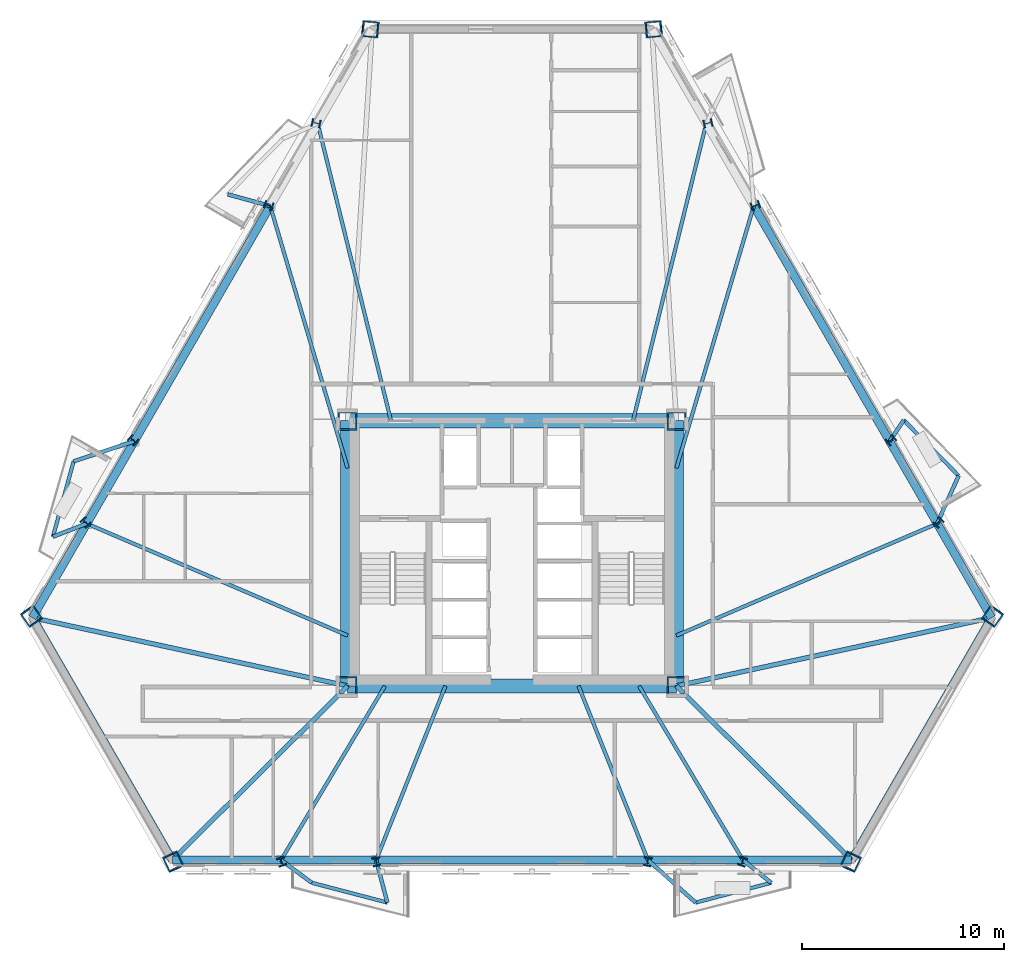
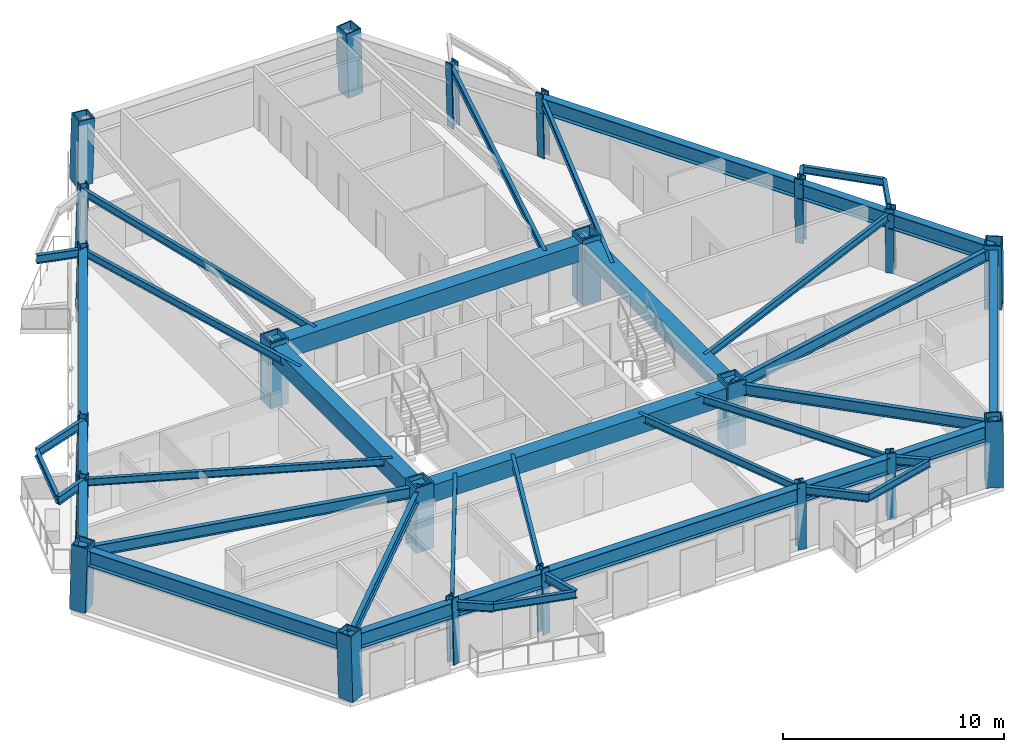
# One storey, part 1 of 10: 44 beams, 22 columns.
"""IFC4 building model written with IfcOpenShell, lengths in metres."""

from ifc_helpers import new_model, si_unit, direction, frame, origin, origin_2d, place, context, subcontext, project, spatial, rectangle, hollow_rectangle, i_section, extrude, material, material_profile, profile_set, type_object, element, save


model = new_model("IFC4")

# Units and contexts
model_context = context("Model", 3, precision=1e-05, world=origin(), true_north=direction((0.0, 1.0)))
body_context = subcontext(model_context, "Body", "Model", "MODEL_VIEW")
ifc_project = project(units=[si_unit("LENGTHUNIT", "METRE"), si_unit("AREAUNIT", "SQUARE_METRE"), si_unit("VOLUMEUNIT", "CUBIC_METRE"), si_unit("PLANEANGLEUNIT", "RADIAN"), si_unit("MASSUNIT", "GRAM", prefix="KILO")], contexts=[model_context])

# Site, building, storey
site_placement = place(None, origin())
site = spatial("IfcSite", under=ifc_project, at=site_placement, CompositionType="ELEMENT")
building_placement = place(site_placement, origin())
building = spatial("IfcBuilding", under=site, at=building_placement, Name="Oramaril Tower", CompositionType="ELEMENT")
storey_placement = place(building_placement, frame((0.0, 0.0, 59.699951171875)))
storey = spatial("IfcBuildingStorey", under=building, at=storey_placement, Name="L15", CompositionType="ELEMENT", Elevation=59.699951171875)

# Columns
ifc_material_1 = material(Name="Steel ASTM A572 Gr 50", Category="steel")
ifc_material_profile_1 = material_profile(ifc_material_1, hollow_rectangle(XDim=0.949951171875, YDim=0.949951171875, WallThickness=0.080078125, at=origin_2d()), Name="BOX950X950X80")
ifc_profile_set_1 = profile_set([ifc_material_profile_1], Name="Steel ASTM A572 Gr 50")
column_type_1 = type_object("IfcColumnType", Name="CT-CC2", PredefinedType="COLUMN", material=ifc_profile_set_1)
for number, where, z_axis, x_axis, name in (
    (1, (29.35009765625, 11.0, 0.0), (0.0, 0.0, 1.0), (1.0, 0.0, 0.0), "L15 Core Column CC-1"),
    (2, (45.64990234375, 11.0, 0.0), (0.0, 0.0, 1.0), (1.0, 0.0, 0.0), "L15 Core Column CC-2"),
    (3, (45.64990234375, 24.14990234375, 0.0), (0.0, 0.0, 1.0), (1.0, 0.0, 0.0), "L15 Core Column CC-3"),
    (4, (29.35009765625, 24.14990234375, 0.0), (0.0, 0.0, 1.0), (1.0, 0.0, 0.0), "L15 Core Column CC-4"),
):
    element("IfcColumn", number, at=place(storey_placement, frame(where, z_axis=z_axis, x_axis=x_axis)), inside=storey, type_object=column_type_1, Name=name, PredefinedType="COLUMN", context=body_context, shape_type="SweptSolid", body=[
        extrude(hollow_rectangle(XDim=0.949951171875, YDim=0.949951171875, WallThickness=0.080078125, at=origin_2d()), origin(), (0.0, 0.0, 1.0), 3.60009765625),
    ])
ifc_material_2 = material(Name="Steel ASTM A572 Gr 50", Category="steel")
ifc_material_profile_2 = material_profile(ifc_material_2, hollow_rectangle(XDim=0.800048828125, YDim=0.800048828125, WallThickness=0.06494140625, at=origin_2d()), Name="BOX800X800X65")
ifc_profile_set_2 = profile_set([ifc_material_profile_2], Name="Steel ASTM A572 Gr 50")
column_type_2 = type_object("IfcColumnType", Name="CT-TC3", PredefinedType="COLUMN", material=ifc_profile_set_2)
for number, where, z_axis, x_axis, name in (
    (5, (13.665771484375, 14.470458984375, 0.004638671875), (0.016990094732, -0.024261855277, 0.99956125328), (0.819124112374, 0.573616325192, 0.0), "L15 Tube Column TC-01"),
    (6, (20.70751953125, 2.273681640625, 0.004638671875), (-0.012504688845, 0.026912265122, 0.999559584388), (-0.906883968977, -0.42138043003, 0.0), "L15 Tube Column TC-02"),
    (7, (54.29248046875, 2.273681640625, 0.004638671875), (0.012504688845, 0.026912265122, 0.999559584388), (-0.906883968977, 0.42138043003, 0.0), "L15 Tube Column TC-03"),
    (8, (61.334228515625, 14.470458984375, 0.004638671875), (-0.016990094732, -0.024261855277, 0.99956125328), (0.819124112374, -0.573616325192, 0.0), "L15 Tube Column TC-04"),
    (9, (44.541748046875, 43.555908203125, 0.004638671875), (-0.029494809359, -0.002650455219, 0.999561419478), (0.089501110996, -0.995986722367, 0.0), "L15 Tube Column TC-05"),
    (10, (30.458251953125, 43.555908203125, 0.004638671875), (0.029494809359, -0.002650455219, 0.999561419478), (0.089501110996, 0.995986722367, 0.0), "L15 Tube Column TC-06"),
):
    element("IfcColumn", number, at=place(storey_placement, frame(where, z_axis=z_axis, x_axis=x_axis)), inside=storey, type_object=column_type_2, Name=name, PredefinedType="COLUMN", context=body_context, shape_type="SweptSolid", body=[
        extrude(hollow_rectangle(XDim=0.800048828125, YDim=0.800048828125, WallThickness=0.06494140625, at=origin_2d()), origin(), (0.0, 0.0, 1.0), 3.59228515625),
    ])
ifc_material_3 = material(Name="Steel ASTM A572 Gr 50", Category="steel")
ifc_material_profile_3 = material_profile(ifc_material_3, i_section(OverallWidth=0.410888671875, OverallDepth=0.43408203125, WebThickness=0.035888671875, FlangeThickness=0.057373046875, at=origin_2d()), Name="W14X311")
ifc_profile_set_3 = profile_set([ifc_material_profile_3], Name="Steel ASTM A572 Gr 50")
column_type_3 = type_object("IfcColumnType", Name="CT-TF2", PredefinedType="COLUMN", material=ifc_profile_set_3)
for number, where, z_axis, x_axis, name in (
    (11, (26.081298828125, 2.273681640625, 0.004638671875), (-0.008563349016, 0.026913382621, 0.99960108988), (-0.952925780013, -0.303203657277, 0.0), "L15 Tube Column TC-07"),
    (12, (30.782958984375, 2.273681640625, 0.004638671875), (-0.00502938927, 0.026914029069, 0.999625099866), (-0.982984409413, -0.183689005799, 0.0), "L15 Tube Column TC-08"),
    (13, (44.217041015625, 2.273681640625, 0.004638671875), (0.00502938927, 0.026914029069, 0.999625099866), (-0.982984409413, 0.183689005799, 0.0), "L15 Tube Column TC-09"),
    (14, (48.918701171875, 2.273681640625, 0.004638671875), (0.008563349016, 0.026913382621, 0.99960108988), (-0.952925780013, 0.303203657277, 0.0), "L15 Tube Column TC-10"),
    (15, (58.6474609375, 19.1240234375, 0.004638671875), (-0.01902969331, -0.02079673626, 0.999602604305), (0.737754315113, -0.675069307947, 0.0), "L15 Tube Column TC-11"),
):
    element("IfcColumn", number, at=place(storey_placement, frame(where, z_axis=z_axis, x_axis=x_axis)), inside=storey, type_object=column_type_3, Name=name, PredefinedType="COLUMN", context=body_context, shape_type="SweptSolid", body=[
        extrude(i_section(OverallWidth=0.410888671875, OverallDepth=0.43408203125, WebThickness=0.035888671875, FlangeThickness=0.057373046875, at=origin_2d()), origin(), (0.0, 0.0, 1.0), 3.59228515625),
    ])
column_1_placement = place(storey_placement, frame((56.29638671875, 23.196044921875, 0.004638671875), z_axis=(-0.020729269388, -0.017806782228, 0.999626538212), x_axis=(0.651610262095, -0.758553931064, 0.0)))
element("IfcColumn", 16, at=column_1_placement, inside=storey, type_object=column_type_3, Name="L15 Tube Column TC-12", PredefinedType="COLUMN", context=body_context, shape_type="SweptSolid", body=[
    extrude(i_section(OverallWidth=0.410888671875, OverallDepth=0.43408203125, WebThickness=0.035888671875, FlangeThickness=0.057373046875, at=origin_2d()), origin(), (0.0, 0.0, 1.0), 3.592041015625),
])
for number, where, z_axis, x_axis, name in (
    (17, (49.57958984375, 34.830078125, 0.004638671875), (-0.02582660566, -0.009039311981, 0.99962556854), (0.330350424728, -0.943858356366, 0.0), "L15 Tube Column TC-13"),
    (18, (47.228515625, 38.902099609375, 0.004638671875), (-0.027525097831, -0.006048725202, 0.999602812077), (0.214631750704, -0.976695045339, 0.0), "L15 Tube Column TC-14"),
    (19, (27.771484375, 38.902099609375, 0.004638671875), (0.027525097831, -0.006048725202, 0.999602812077), (0.214631750704, 0.976695045339, 0.0), "L15 Tube Column TC-15"),
    (20, (25.42041015625, 34.830078125, 0.004638671875), (0.02582660566, -0.009039311981, 0.99962556854), (0.330350424728, 0.943858356366, 0.0), "L15 Tube Column TC-16"),
):
    element("IfcColumn", number, at=place(storey_placement, frame(where, z_axis=z_axis, x_axis=x_axis)), inside=storey, type_object=column_type_3, Name=name, PredefinedType="COLUMN", context=body_context, shape_type="SweptSolid", body=[
        extrude(i_section(OverallWidth=0.410888671875, OverallDepth=0.43408203125, WebThickness=0.035888671875, FlangeThickness=0.057373046875, at=origin_2d()), origin(), (0.0, 0.0, 1.0), 3.59228515625),
    ])
column_2_placement = place(storey_placement, frame((18.70361328125, 23.196044921875, 0.004638671875), z_axis=(0.020729269388, -0.017806782228, 0.999626538212), x_axis=(0.651610262095, 0.758553931064, 0.0)))
element("IfcColumn", 21, at=column_2_placement, inside=storey, type_object=column_type_3, Name="L15 Tube Column TC-17", PredefinedType="COLUMN", context=body_context, shape_type="SweptSolid", body=[
    extrude(i_section(OverallWidth=0.410888671875, OverallDepth=0.43408203125, WebThickness=0.035888671875, FlangeThickness=0.057373046875, at=origin_2d()), origin(), (0.0, 0.0, 1.0), 3.592041015625),
])
column_3_placement = place(storey_placement, frame((16.3525390625, 19.1240234375, 0.004638671875), z_axis=(0.01902969331, -0.02079673626, 0.999602604305), x_axis=(0.737754315113, 0.675069307947, 0.0)))
element("IfcColumn", 22, at=column_3_placement, inside=storey, type_object=column_type_3, Name="L15 Tube Column TC-18", PredefinedType="COLUMN", context=body_context, shape_type="SweptSolid", body=[
    extrude(i_section(OverallWidth=0.410888671875, OverallDepth=0.43408203125, WebThickness=0.035888671875, FlangeThickness=0.057373046875, at=origin_2d()), origin(), (0.0, 0.0, 1.0), 3.59228515625),
])

# Beams
ifc_material_4 = material(Name="Steel ASTM A572 Gr 50", Category="steel")
ifc_material_profile_4 = material_profile(ifc_material_4, i_section(OverallWidth=0.19091796875, OverallDepth=0.45703125, WebThickness=0.009033203125, FlangeThickness=0.014404296875, at=origin_2d()), Name="W18X50")
ifc_profile_set_4 = profile_set([ifc_material_profile_4], Name="Steel ASTM A572 Gr 50")
beam_type_1 = type_object("IfcBeamType", Name="BT-BB1", PredefinedType="BEAM", material=ifc_profile_set_4)
beam_1_placement = place(storey_placement, frame((26.050537109375, 2.370361328125, 3.131591796875), z_axis=(0.803814813997, -0.594879605298, 0.0), x_axis=(0.594879605298, 0.803814813997, 0.0)))
element("IfcBeam", 23, at=beam_1_placement, inside=storey, type_object=beam_type_1, Name="L15 Balcony Column-Framed Cantilever 01.1", PredefinedType="BEAM", context=body_context, shape_type="SweptSolid", body=[
    extrude(i_section(OverallWidth=0.19091796875, OverallDepth=0.45703125, WebThickness=0.009033203125, FlangeThickness=0.014404296875, at=origin_2d()), origin(), (0.0, 0.0, 1.0), 1.896484375),
])
beam_2_placement = place(storey_placement, frame((30.764892578125, 2.370361328125, 3.131591796875), z_axis=(0.254245202927, -0.967139791751, 0.0), x_axis=(0.967139791751, 0.254245202927, 0.0)))
element("IfcBeam", 24, at=beam_2_placement, inside=storey, type_object=beam_type_1, Name="L15 Balcony Column-Framed Cantilever 01.2", PredefinedType="BEAM", context=body_context, shape_type="SweptSolid", body=[
    extrude(i_section(OverallWidth=0.19091796875, OverallDepth=0.45703125, WebThickness=0.009033203125, FlangeThickness=0.014404296875, at=origin_2d()), origin(), (0.0, 0.0, 1.0), 2.1796875),
])
beam_3_placement = place(storey_placement, frame((44.235107421875, 2.370361328125, 3.131591796875), z_axis=(0.747294673496, -0.66449279226, 0.0), x_axis=(0.66449279226, 0.747294673496, 0.0)))
element("IfcBeam", 25, at=beam_3_placement, inside=storey, type_object=beam_type_1, Name="L15 Balcony Column-Framed Cantilever 02.1", PredefinedType="BEAM", context=body_context, shape_type="SweptSolid", body=[
    extrude(i_section(OverallWidth=0.19091796875, OverallDepth=0.45703125, WebThickness=0.009033203125, FlangeThickness=0.014404296875, at=origin_2d()), origin(), (0.0, 0.0, 1.0), 3.172607421875),
])
beam_4_placement = place(storey_placement, frame((48.949462890625, 2.370361328125, 3.131591796875), z_axis=(0.778785224759, -0.627290661254, 0.0), x_axis=(0.627290661254, 0.778785224759, 0.0)))
element("IfcBeam", 26, at=beam_4_placement, inside=storey, type_object=beam_type_1, Name="L15 Balcony Column-Framed Cantilever 02.2", PredefinedType="BEAM", context=body_context, shape_type="SweptSolid", body=[
    extrude(i_section(OverallWidth=0.19091796875, OverallDepth=0.45703125, WebThickness=0.009033203125, FlangeThickness=0.014404296875, at=origin_2d()), origin(), (0.0, 0.0, 1.0), 1.798583984375),
])
beam_5_placement = place(storey_placement, frame((58.5791015625, 19.04931640625, 3.131591796875), z_axis=(0.408783738784, 0.912631280916, 0.0), x_axis=(-0.912631280916, 0.408783738784, 0.0)))
element("IfcBeam", 27, at=beam_5_placement, inside=storey, type_object=beam_type_1, Name="L15 Balcony Column-Framed Cantilever 03.1", PredefinedType="BEAM", context=body_context, shape_type="SweptSolid", body=[
    extrude(i_section(OverallWidth=0.19091796875, OverallDepth=0.45703125, WebThickness=0.009033203125, FlangeThickness=0.014404296875, at=origin_2d()), origin(), (0.0, 0.0, 1.0), 2.6015625),
])
beam_6_placement = place(storey_placement, frame((56.221923828125, 23.132080078125, 3.131591796875), z_axis=(0.556894703673, 0.830583101815, 0.0), x_axis=(-0.830583101815, 0.556894703673, 0.0)))
element("IfcBeam", 28, at=beam_6_placement, inside=storey, type_object=beam_type_1, Name="L15 Balcony Column-Framed Cantilever 03.2", PredefinedType="BEAM", context=body_context, shape_type="SweptSolid", body=[
    extrude(i_section(OverallWidth=0.19091796875, OverallDepth=0.45703125, WebThickness=0.009033203125, FlangeThickness=0.014404296875, at=origin_2d()), origin(), (0.0, 0.0, 1.0), 1.2568359375),
])
beam_7_placement = place(storey_placement, frame((25.51318359375, 34.797607421875, 3.131591796875), z_axis=(-0.964706934166, 0.263325902964, 0.0), x_axis=(-0.263325902964, -0.964706934166, 0.0)))
element("IfcBeam", 29, at=beam_7_placement, inside=storey, type_object=beam_type_1, Name="L15 Balcony Column-Framed Cantilever 05.2", PredefinedType="BEAM", context=body_context, shape_type="SweptSolid", body=[
    extrude(i_section(OverallWidth=0.19091796875, OverallDepth=0.45703125, WebThickness=0.009033203125, FlangeThickness=0.014404296875, at=origin_2d()), origin(), (0.0, 0.0, 1.0), 2.1796875),
])
beam_8_placement = place(storey_placement, frame((18.778076171875, 23.132080078125, 3.131591796875), z_axis=(-0.949098041166, -0.31498080617, 0.0), x_axis=(0.31498080617, -0.949098041166, 0.0)))
element("IfcBeam", 30, at=beam_8_placement, inside=storey, type_object=beam_type_1, Name="L15 Balcony Column-Framed Cantilever 06.1", PredefinedType="BEAM", context=body_context, shape_type="SweptSolid", body=[
    extrude(i_section(OverallWidth=0.19091796875, OverallDepth=0.45703125, WebThickness=0.009033203125, FlangeThickness=0.014404296875, at=origin_2d()), origin(), (0.0, 0.0, 1.0), 3.17236328125),
])
beam_9_placement = place(storey_placement, frame((16.4208984375, 19.04931640625, 3.131591796875), z_axis=(-0.932630003124, -0.360834140947, 0.0), x_axis=(0.360834140947, -0.932630003124, 0.0)))
element("IfcBeam", 31, at=beam_9_placement, inside=storey, type_object=beam_type_1, Name="L15 Balcony Column-Framed Cantilever 06.2", PredefinedType="BEAM", context=body_context, shape_type="SweptSolid", body=[
    extrude(i_section(OverallWidth=0.19091796875, OverallDepth=0.45703125, WebThickness=0.009033203125, FlangeThickness=0.014404296875, at=origin_2d()), origin(), (0.0, 0.0, 1.0), 1.79833984375),
])
ifc_material_5 = material(Name="Concrete C50/60", Category="concrete")
ifc_material_profile_5 = material_profile(ifc_material_5, rectangle(XDim=0.699951171875, YDim=0.949951171875, at=origin_2d()), Name="CB700X950")
ifc_profile_set_5 = profile_set([ifc_material_profile_5], Name="Concrete C50/60")
beam_type_2 = type_object("IfcBeamType", Name="BT-CB1", PredefinedType="BEAM", material=ifc_profile_set_5)
beam_10_placement = place(storey_placement, frame((29.35009765625, 11.0, 2.885009765625), z_axis=(1.0, 0.0, 0.0), x_axis=(0.0, 1.0, 0.0)))
element("IfcBeam", 32, at=beam_10_placement, inside=storey, type_object=beam_type_2, Name="L15 Core Header Beam CB-1", PredefinedType="BEAM", context=body_context, shape_type="SweptSolid", body=[
    extrude(rectangle(XDim=0.699951171875, YDim=0.949951171875, at=origin_2d()), origin(), (0.0, 0.0, 1.0), 16.2998046875),
])
beam_11_placement = place(storey_placement, frame((45.64990234375, 11.0, 2.885009765625), z_axis=(0.0, 1.0, 0.0), x_axis=(-1.0, 0.0, 0.0)))
element("IfcBeam", 33, at=beam_11_placement, inside=storey, type_object=beam_type_2, Name="L15 Core Header Beam CB-2", PredefinedType="BEAM", context=body_context, shape_type="SweptSolid", body=[
    extrude(rectangle(XDim=0.699951171875, YDim=0.949951171875, at=origin_2d()), origin(), (0.0, 0.0, 1.0), 13.14990234375),
])
beam_12_placement = place(storey_placement, frame((45.64990234375, 24.14990234375, 2.885009765625), z_axis=(-1.0, 0.0, 0.0), x_axis=(0.0, -1.0, 0.0)))
element("IfcBeam", 34, at=beam_12_placement, inside=storey, type_object=beam_type_2, Name="L15 Core Header Beam CB-3", PredefinedType="BEAM", context=body_context, shape_type="SweptSolid", body=[
    extrude(rectangle(XDim=0.699951171875, YDim=0.949951171875, at=origin_2d()), origin(), (0.0, 0.0, 1.0), 16.2998046875),
])
beam_13_placement = place(storey_placement, frame((29.35009765625, 24.14990234375, 2.885009765625), z_axis=(0.0, -1.0, 0.0), x_axis=(1.0, 0.0, 0.0)))
element("IfcBeam", 35, at=beam_13_placement, inside=storey, type_object=beam_type_2, Name="L15 Core Header Beam CB-4", PredefinedType="BEAM", context=body_context, shape_type="SweptSolid", body=[
    extrude(rectangle(XDim=0.699951171875, YDim=0.949951171875, at=origin_2d()), origin(), (0.0, 0.0, 1.0), 13.14990234375),
])
ifc_material_6 = material(Name="Steel ASTM A572 Gr 50", Category="steel")
ifc_material_profile_6 = material_profile(ifc_material_6, i_section(OverallWidth=0.22900390625, OverallDepth=0.612060546875, WebThickness=0.011962890625, FlangeThickness=0.01953125, at=origin_2d()), Name="W24X84")
ifc_profile_set_6 = profile_set([ifc_material_profile_6], Name="Steel ASTM A572 Gr 50")
beam_type_3 = type_object("IfcBeamType", Name="BT-FB1", PredefinedType="BEAM", material=ifc_profile_set_6)
beam_14_placement = place(storey_placement, frame((29.35009765625, 11.0, 3.053955078125), z_axis=(-0.977345733515, 0.211649042474, 0.0), x_axis=(-0.211649042474, -0.977345733515, 0.0)))
element("IfcBeam", 36, at=beam_14_placement, inside=storey, type_object=beam_type_3, Name="L15 Radial Primary Beam RB-01", PredefinedType="BEAM", context=body_context, shape_type="SweptSolid", body=[
    extrude(i_section(OverallWidth=0.22900390625, OverallDepth=0.612060546875, WebThickness=0.011962890625, FlangeThickness=0.01953125, at=origin_2d()), origin(), (0.0, 0.0, 1.0), 15.9853515625),
])
for number, where, z_axis, x_axis, name in (
    (37, (29.35009765625, 11.0, 3.053955078125), (-0.709465459358, -0.704740208856, 0.0), (0.704740208856, -0.709465459358, 0.0), "L15 Radial Primary Beam RB-02"),
    (38, (45.64990234375, 11.0, 3.053955078125), (0.709465459358, -0.704740208856, 0.0), (0.704740208856, 0.709465459358, 0.0), "L15 Radial Primary Beam RB-03"),
):
    element("IfcBeam", number, at=place(storey_placement, frame(where, z_axis=z_axis, x_axis=x_axis)), inside=storey, type_object=beam_type_3, Name=name, PredefinedType="BEAM", context=body_context, shape_type="SweptSolid", body=[
        extrude(i_section(OverallWidth=0.22900390625, OverallDepth=0.612060546875, WebThickness=0.011962890625, FlangeThickness=0.01953125, at=origin_2d()), origin(), (0.0, 0.0, 1.0), 12.2451171875),
    ])
beam_15_placement = place(storey_placement, frame((45.64990234375, 11.0, 3.053955078125), z_axis=(0.977345733515, 0.211649042474, 0.0), x_axis=(-0.211649042474, 0.977345733515, 0.0)))
element("IfcBeam", 39, at=beam_15_placement, inside=storey, type_object=beam_type_3, Name="L15 Radial Primary Beam RB-04", PredefinedType="BEAM", context=body_context, shape_type="SweptSolid", body=[
    extrude(i_section(OverallWidth=0.22900390625, OverallDepth=0.612060546875, WebThickness=0.011962890625, FlangeThickness=0.01953125, at=origin_2d()), origin(), (0.0, 0.0, 1.0), 15.9853515625),
])
ifc_material_7 = material(Name="Steel ASTM A572 Gr 50", Category="steel")
ifc_material_profile_7 = material_profile(ifc_material_7, i_section(OverallWidth=0.177978515625, OverallDepth=0.404052734375, WebThickness=0.007568359375, FlangeThickness=0.010986328125, at=origin_2d()), Name="W16X36")
ifc_profile_set_7 = profile_set([ifc_material_profile_7], Name="Steel ASTM A572 Gr 50")
beam_type_4 = type_object("IfcBeamType", Name="BT-SB1", PredefinedType="BEAM", material=ifc_profile_set_7)
beam_16_placement = place(storey_placement, frame((31.199951171875, 11.0, 3.157958984375), z_axis=(-0.512418501751, -0.858735861056, 0.0), x_axis=(0.858735861056, -0.512418501751, 0.0)))
element("IfcBeam", 40, at=beam_16_placement, inside=storey, type_object=beam_type_4, Name="L15 Secondary Floor Beam SB-01", PredefinedType="BEAM", context=body_context, shape_type="SweptSolid", body=[
    extrude(i_section(OverallWidth=0.177978515625, OverallDepth=0.404052734375, WebThickness=0.007568359375, FlangeThickness=0.010986328125, at=origin_2d()), origin(), (0.0, 0.0, 1.0), 10.04931640625),
])
for number, where, z_axis, x_axis, name in (
    (41, (34.199951171875, 11.0, 3.157958984375), (-0.369831175248, -0.929098973099, 0.0), (0.929098973099, -0.369831175248, 0.0), "L15 Secondary Floor Beam SB-02"),
    (42, (40.800048828125, 11.0, 3.157958984375), (0.369831175248, -0.929098973099, 0.0), (0.929098973099, 0.369831175248, 0.0), "L15 Secondary Floor Beam SB-03"),
):
    element("IfcBeam", number, at=place(storey_placement, frame(where, z_axis=z_axis, x_axis=x_axis)), inside=storey, type_object=beam_type_4, Name=name, PredefinedType="BEAM", context=body_context, shape_type="SweptSolid", body=[
        extrude(i_section(OverallWidth=0.177978515625, OverallDepth=0.404052734375, WebThickness=0.007568359375, FlangeThickness=0.010986328125, at=origin_2d()), origin(), (0.0, 0.0, 1.0), 9.2880859375),
    ])
beam_17_placement = place(storey_placement, frame((43.800048828125, 11.0, 3.157958984375), z_axis=(0.512418501751, -0.858735861056, 0.0), x_axis=(0.858735861056, 0.512418501751, 0.0)))
element("IfcBeam", 43, at=beam_17_placement, inside=storey, type_object=beam_type_4, Name="L15 Secondary Floor Beam SB-04", PredefinedType="BEAM", context=body_context, shape_type="SweptSolid", body=[
    extrude(i_section(OverallWidth=0.177978515625, OverallDepth=0.404052734375, WebThickness=0.007568359375, FlangeThickness=0.010986328125, at=origin_2d()), origin(), (0.0, 0.0, 1.0), 10.04931640625),
])
beam_18_placement = place(storey_placement, frame((45.64990234375, 13.5, 3.157958984375), z_axis=(0.918933081719, 0.394413477614, 0.0), x_axis=(-0.394413477614, 0.918933081719, 0.0)))
element("IfcBeam", 44, at=beam_18_placement, inside=storey, type_object=beam_type_4, Name="L15 Secondary Floor Beam SB-05", PredefinedType="BEAM", context=body_context, shape_type="SweptSolid", body=[
    extrude(i_section(OverallWidth=0.177978515625, OverallDepth=0.404052734375, WebThickness=0.007568359375, FlangeThickness=0.010986328125, at=origin_2d()), origin(), (0.0, 0.0, 1.0), 14.06982421875),
])
beam_19_placement = place(storey_placement, frame((45.64990234375, 21.800048828125, 3.157958984375), z_axis=(0.283123962503, 0.95908332373, 0.0), x_axis=(-0.95908332373, 0.283123962503, 0.0)))
element("IfcBeam", 45, at=beam_19_placement, inside=storey, type_object=beam_type_4, Name="L15 Secondary Floor Beam SB-06", PredefinedType="BEAM", context=body_context, shape_type="SweptSolid", body=[
    extrude(i_section(OverallWidth=0.177978515625, OverallDepth=0.404052734375, WebThickness=0.007568359375, FlangeThickness=0.010986328125, at=origin_2d()), origin(), (0.0, 0.0, 1.0), 13.552001953125),
])
for number, where, z_axis, x_axis, name in (
    (46, (43.5, 24.14990234375, 3.157958984375), (0.239247571598, 0.970958598234, 0.0), (-0.970958598234, 0.239247571598, 0.0), "L15 Secondary Floor Beam SB-07"),
    (47, (31.5, 24.14990234375, 3.157958984375), (-0.239247571598, 0.970958598234, 0.0), (-0.970958598234, -0.239247571598, 0.0), "L15 Secondary Floor Beam SB-08"),
):
    element("IfcBeam", number, at=place(storey_placement, frame(where, z_axis=z_axis, x_axis=x_axis)), inside=storey, type_object=beam_type_4, Name=name, PredefinedType="BEAM", context=body_context, shape_type="SweptSolid", body=[
        extrude(i_section(OverallWidth=0.177978515625, OverallDepth=0.404052734375, WebThickness=0.007568359375, FlangeThickness=0.010986328125, at=origin_2d()), origin(), (0.0, 0.0, 1.0), 15.171142578125),
    ])
beam_20_placement = place(storey_placement, frame((29.35009765625, 21.800048828125, 3.157958984375), z_axis=(-0.283123962503, 0.95908332373, 0.0), x_axis=(-0.95908332373, -0.283123962503, 0.0)))
element("IfcBeam", 48, at=beam_20_placement, inside=storey, type_object=beam_type_4, Name="L15 Secondary Floor Beam SB-09", PredefinedType="BEAM", context=body_context, shape_type="SweptSolid", body=[
    extrude(i_section(OverallWidth=0.177978515625, OverallDepth=0.404052734375, WebThickness=0.007568359375, FlangeThickness=0.010986328125, at=origin_2d()), origin(), (0.0, 0.0, 1.0), 13.552001953125),
])
beam_21_placement = place(storey_placement, frame((29.35009765625, 13.5, 3.157958984375), z_axis=(-0.918933081719, 0.394413477614, 0.0), x_axis=(-0.394413477614, -0.918933081719, 0.0)))
element("IfcBeam", 49, at=beam_21_placement, inside=storey, type_object=beam_type_4, Name="L15 Secondary Floor Beam SB-10", PredefinedType="BEAM", context=body_context, shape_type="SweptSolid", body=[
    extrude(i_section(OverallWidth=0.177978515625, OverallDepth=0.404052734375, WebThickness=0.007568359375, FlangeThickness=0.010986328125, at=origin_2d()), origin(), (0.0, 0.0, 1.0), 14.06982421875),
])
for number, where, z_axis, x_axis, name in (
    (50, (27.574951171875, 1.2421875, 3.157958984375), (0.967411967632, -0.253207592467, 0.0), (0.253207592467, 0.967411967632, 0.0), "L15 Balcony Edge Tie Beam 01"),
    (51, (46.60595703125, 0.26220703125, 3.157958984375), (0.967411967632, 0.253207592467, 0.0), (-0.253207592467, 0.967411967632, 0.0), "L15 Balcony Edge Tie Beam 02"),
):
    element("IfcBeam", number, at=place(storey_placement, frame(where, z_axis=z_axis, x_axis=x_axis)), inside=storey, type_object=beam_type_4, Name=name, PredefinedType="BEAM", context=body_context, shape_type="SweptSolid", body=[
        extrude(i_section(OverallWidth=0.177978515625, OverallDepth=0.404052734375, WebThickness=0.007568359375, FlangeThickness=0.010986328125, at=origin_2d()), origin(), (0.0, 0.0, 1.0), 3.870361328125),
    ])
for number, where, z_axis, x_axis, name in (
    (52, (59.642578125, 21.423583984375, 3.157958984375), (-0.702994511648, 0.71119527318, 0.0), (-0.71119527318, -0.702994511648, 0.0), "L15 Balcony Edge Tie Beam 03"),
    (53, (15.76708984375, 22.1328125, 3.157958984375), (-0.264440915482, -0.964401888332, 0.0), (0.964401888332, -0.264440915482, 0.0), "L15 Balcony Edge Tie Beam 06"),
):
    element("IfcBeam", number, at=place(storey_placement, frame(where, z_axis=z_axis, x_axis=x_axis)), inside=storey, type_object=beam_type_4, Name=name, PredefinedType="BEAM", context=body_context, shape_type="SweptSolid", body=[
        extrude(i_section(OverallWidth=0.177978515625, OverallDepth=0.404052734375, WebThickness=0.007568359375, FlangeThickness=0.010986328125, at=origin_2d()), origin(), (0.0, 0.0, 1.0), 3.8701171875),
    ])
ifc_material_8 = material(Name="Steel ASTM A572 Gr 50", Category="steel")
ifc_material_profile_8 = material_profile(ifc_material_8, i_section(OverallWidth=0.40087890625, OverallDepth=0.85595703125, WebThickness=0.018310546875, FlangeThickness=0.029296875, at=origin_2d()), Name="W33X201")
ifc_profile_set_8 = profile_set([ifc_material_profile_8], Name="Steel ASTM A572 Gr 50")
beam_type_5 = type_object("IfcBeamType", Name="BT-SP1", PredefinedType="SPANDREL", material=ifc_profile_set_8)
beam_22_placement = place(storey_placement, frame((13.726806640625, 14.38330078125, 2.93212890625), z_axis=(0.500006336147, -0.866021745577, 0.0), x_axis=(0.866021745577, 0.500006336147, 0.0)))
element("IfcBeam", 54, at=beam_22_placement, inside=storey, type_object=beam_type_5, Name="L15 Perimeter Spandrel 01", PredefinedType="SPANDREL", context=body_context, shape_type="SweptSolid", body=[
    extrude(i_section(OverallWidth=0.40087890625, OverallDepth=0.85595703125, WebThickness=0.018310546875, FlangeThickness=0.029296875, at=origin_2d()), origin(), (0.0, 0.0, 1.0), 13.871337890625),
])
beam_23_placement = place(storey_placement, frame((20.66259765625, 2.370361328125, 2.93212890625), z_axis=(1.0, 0.0, 0.0), x_axis=(0.0, 1.0, 0.0)))
element("IfcBeam", 55, at=beam_23_placement, inside=storey, type_object=beam_type_5, Name="L15 Perimeter Spandrel 02", PredefinedType="SPANDREL", context=body_context, shape_type="SweptSolid", body=[
    extrude(i_section(OverallWidth=0.40087890625, OverallDepth=0.85595703125, WebThickness=0.018310546875, FlangeThickness=0.029296875, at=origin_2d()), origin(), (0.0, 0.0, 1.0), 5.387939453125),
])
beam_24_placement = place(storey_placement, frame((26.050537109375, 2.370361328125, 2.93212890625), z_axis=(1.0, 0.0, 0.0), x_axis=(0.0, 1.0, 0.0)))
element("IfcBeam", 56, at=beam_24_placement, inside=storey, type_object=beam_type_5, Name="L15 Perimeter Spandrel 03", PredefinedType="SPANDREL", context=body_context, shape_type="SweptSolid", body=[
    extrude(i_section(OverallWidth=0.40087890625, OverallDepth=0.85595703125, WebThickness=0.018310546875, FlangeThickness=0.029296875, at=origin_2d()), origin(), (0.0, 0.0, 1.0), 4.71435546875),
])
beam_25_placement = place(storey_placement, frame((30.764892578125, 2.370361328125, 2.93212890625), z_axis=(1.0, 0.0, 0.0), x_axis=(0.0, 1.0, 0.0)))
element("IfcBeam", 57, at=beam_25_placement, inside=storey, type_object=beam_type_5, Name="L15 Perimeter Spandrel 04", PredefinedType="SPANDREL", context=body_context, shape_type="SweptSolid", body=[
    extrude(i_section(OverallWidth=0.40087890625, OverallDepth=0.85595703125, WebThickness=0.018310546875, FlangeThickness=0.029296875, at=origin_2d()), origin(), (0.0, 0.0, 1.0), 13.47021484375),
])
beam_26_placement = place(storey_placement, frame((44.235107421875, 2.370361328125, 2.93212890625), z_axis=(1.0, 0.0, 0.0), x_axis=(0.0, 1.0, 0.0)))
element("IfcBeam", 58, at=beam_26_placement, inside=storey, type_object=beam_type_5, Name="L15 Perimeter Spandrel 05", PredefinedType="SPANDREL", context=body_context, shape_type="SweptSolid", body=[
    extrude(i_section(OverallWidth=0.40087890625, OverallDepth=0.85595703125, WebThickness=0.018310546875, FlangeThickness=0.029296875, at=origin_2d()), origin(), (0.0, 0.0, 1.0), 4.71435546875),
])
beam_27_placement = place(storey_placement, frame((48.949462890625, 2.370361328125, 2.93212890625), z_axis=(1.0, 0.0, 0.0), x_axis=(0.0, 1.0, 0.0)))
element("IfcBeam", 59, at=beam_27_placement, inside=storey, type_object=beam_type_5, Name="L15 Perimeter Spandrel 06", PredefinedType="SPANDREL", context=body_context, shape_type="SweptSolid", body=[
    extrude(i_section(OverallWidth=0.40087890625, OverallDepth=0.85595703125, WebThickness=0.018310546875, FlangeThickness=0.029296875, at=origin_2d()), origin(), (0.0, 0.0, 1.0), 5.387939453125),
])
beam_28_placement = place(storey_placement, frame((54.33740234375, 2.370361328125, 2.93212890625), z_axis=(0.500006336147, 0.866021745577, 0.0), x_axis=(-0.866021745577, 0.500006336147, 0.0)))
element("IfcBeam", 60, at=beam_28_placement, inside=storey, type_object=beam_type_5, Name="L15 Perimeter Spandrel 07", PredefinedType="SPANDREL", context=body_context, shape_type="SweptSolid", body=[
    extrude(i_section(OverallWidth=0.40087890625, OverallDepth=0.85595703125, WebThickness=0.018310546875, FlangeThickness=0.029296875, at=origin_2d()), origin(), (0.0, 0.0, 1.0), 13.871337890625),
])
beam_29_placement = place(storey_placement, frame((61.273193359375, 14.38330078125, 2.93212890625), z_axis=(-0.500023165436, 0.866012028801, 0.0), x_axis=(-0.866012028801, -0.500023165436, 0.0)))
element("IfcBeam", 61, at=beam_29_placement, inside=storey, type_object=beam_type_5, Name="L15 Perimeter Spandrel 08", PredefinedType="SPANDREL", context=body_context, shape_type="SweptSolid", body=[
    extrude(i_section(OverallWidth=0.40087890625, OverallDepth=0.85595703125, WebThickness=0.018310546875, FlangeThickness=0.029296875, at=origin_2d()), origin(), (0.0, 0.0, 1.0), 5.387939453125),
])
beam_30_placement = place(storey_placement, frame((58.5791015625, 19.04931640625, 2.93212890625), z_axis=(-0.499998891056, 0.866026044032, 0.0), x_axis=(-0.866026044032, -0.499998891056, 0.0)))
element("IfcBeam", 62, at=beam_30_placement, inside=storey, type_object=beam_type_5, Name="L15 Perimeter Spandrel 09", PredefinedType="SPANDREL", context=body_context, shape_type="SweptSolid", body=[
    extrude(i_section(OverallWidth=0.40087890625, OverallDepth=0.85595703125, WebThickness=0.018310546875, FlangeThickness=0.029296875, at=origin_2d()), origin(), (0.0, 0.0, 1.0), 4.71435546875),
])
for number, where, z_axis, x_axis, name in (
    (63, (56.221923828125, 23.132080078125, 2.93212890625), (-0.500000672024, 0.866025015791, 0.0), (-0.866025015791, -0.500000672024, 0.0), "L15 Perimeter Spandrel 10"),
    (64, (25.51318359375, 34.797607421875, 2.93212890625), (-0.500000672024, -0.866025015791, 0.0), (0.866025015791, -0.500000672024, 0.0), "L15 Perimeter Spandrel 16"),
):
    element("IfcBeam", number, at=place(storey_placement, frame(where, z_axis=z_axis, x_axis=x_axis)), inside=storey, type_object=beam_type_5, Name=name, PredefinedType="SPANDREL", context=body_context, shape_type="SweptSolid", body=[
        extrude(i_section(OverallWidth=0.40087890625, OverallDepth=0.85595703125, WebThickness=0.018310546875, FlangeThickness=0.029296875, at=origin_2d()), origin(), (0.0, 0.0, 1.0), 13.47021484375),
    ])
beam_31_placement = place(storey_placement, frame((18.778076171875, 23.132080078125, 2.93212890625), z_axis=(-0.499998891056, -0.866026044032, 0.0), x_axis=(0.866026044032, -0.499998891056, 0.0)))
element("IfcBeam", 65, at=beam_31_placement, inside=storey, type_object=beam_type_5, Name="L15 Perimeter Spandrel 17", PredefinedType="SPANDREL", context=body_context, shape_type="SweptSolid", body=[
    extrude(i_section(OverallWidth=0.40087890625, OverallDepth=0.85595703125, WebThickness=0.018310546875, FlangeThickness=0.029296875, at=origin_2d()), origin(), (0.0, 0.0, 1.0), 4.71435546875),
])
beam_32_placement = place(storey_placement, frame((16.4208984375, 19.04931640625, 2.93212890625), z_axis=(-0.500023165436, -0.866012028801, 0.0), x_axis=(0.866012028801, -0.500023165436, 0.0)))
element("IfcBeam", 66, at=beam_32_placement, inside=storey, type_object=beam_type_5, Name="L15 Perimeter Spandrel 18", PredefinedType="SPANDREL", context=body_context, shape_type="SweptSolid", body=[
    extrude(i_section(OverallWidth=0.40087890625, OverallDepth=0.85595703125, WebThickness=0.018310546875, FlangeThickness=0.029296875, at=origin_2d()), origin(), (0.0, 0.0, 1.0), 5.387939453125),
])

save(model, "model.ifc")
